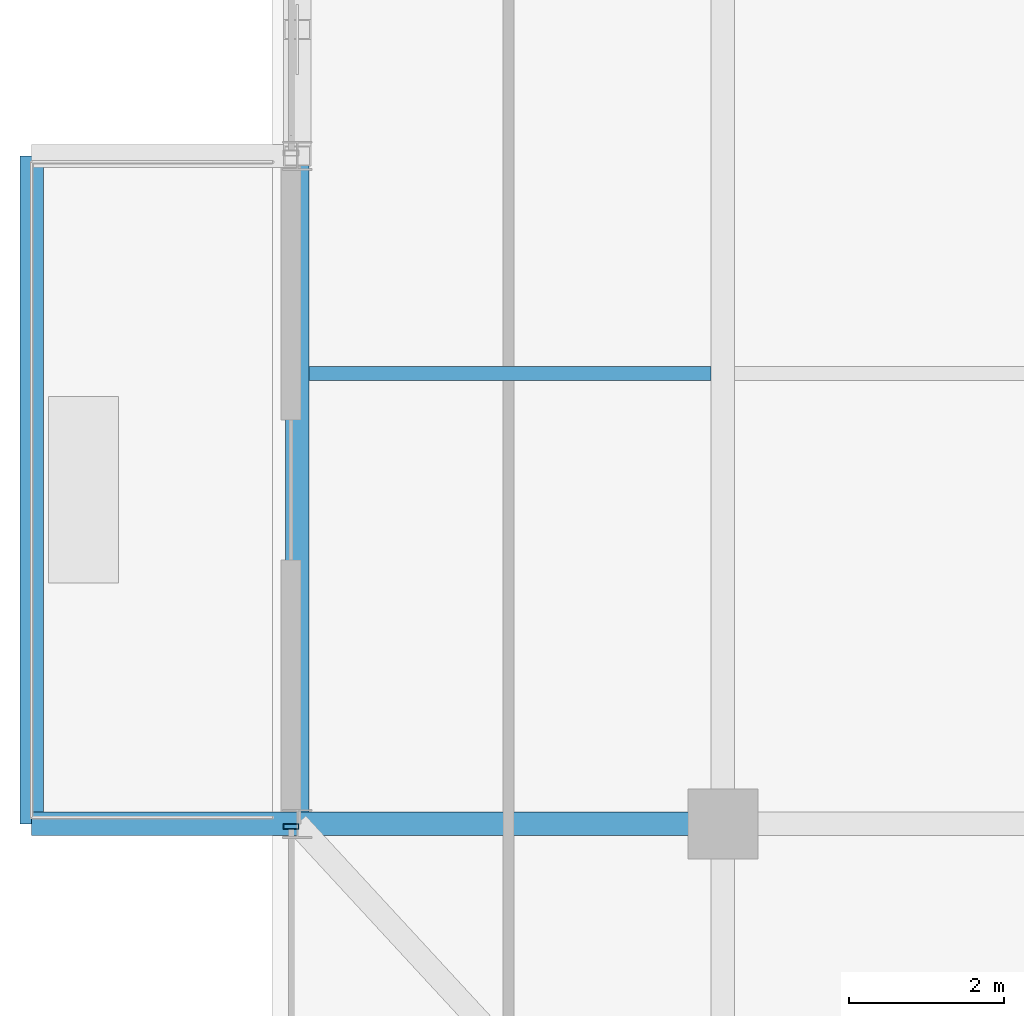
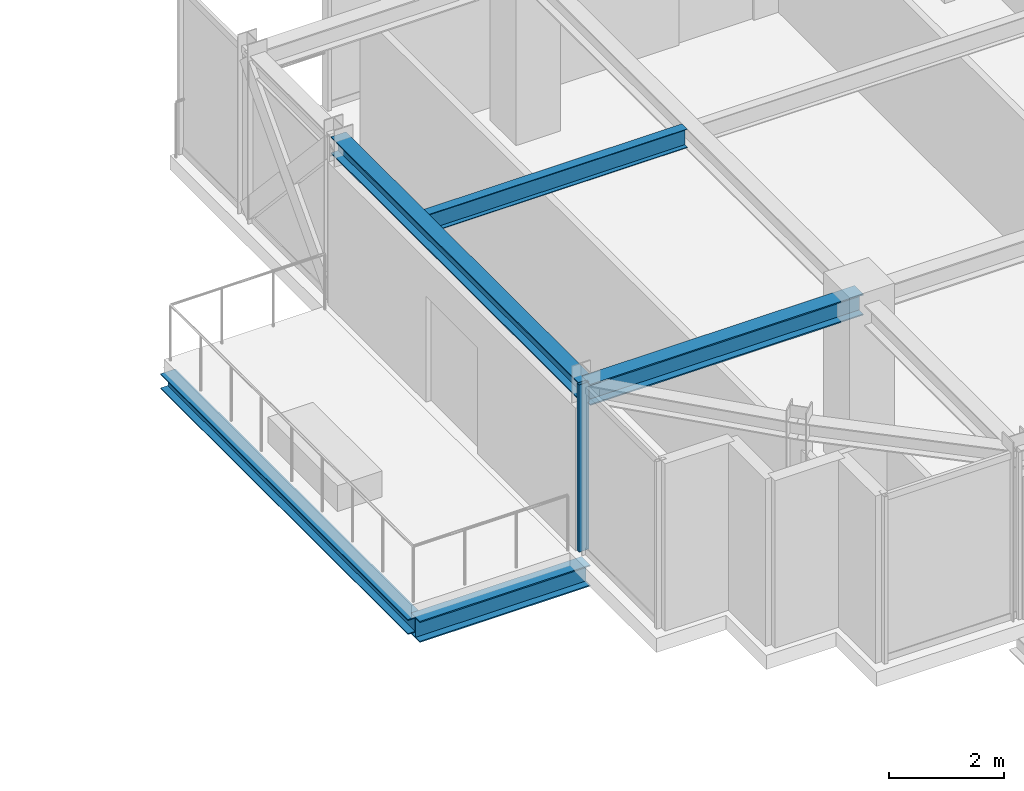
# One storey, part 5 of 37: 5 beams, 1 member, 1 element without a shape of its own.
"""IFC4 building model written with IfcOpenShell, lengths in metres."""

import ifcopenshell
import ifcopenshell.guid

model = None  # the IFC model being written
_history = None  # IfcOwnerHistory: only IFC2X3 demands one
_inside = {}  # id of a spatial element -> (the spatial element, [elements in it])
_under = {}  # id of a project, library or spatial element -> (it, [spatial elements below it])
_declared = {}  # id of a project -> (the project, [libraries it declares])
_typed = {}  # id of a type object -> (the type object, [elements of that type])
_made_of = {}  # id of a material, layer set ... -> (it, [elements and type objects made of it])


def new_model(schema):
    """Start an empty IFC model of exactly this schema.

    Asked for "IFC4X3", IfcOpenShell would pick the latest addendum, in which some entities
    have other attributes; the version numbers below select the first issue.
    IFC2X3 requires an IfcOwnerHistory on every rooted entity: one is made here for all.
    """
    global model, _history
    if schema == "IFC4X3":
        model = ifcopenshell.file(schema_version=(4, 3, 0, 0))
    else:
        model = ifcopenshell.file(schema=schema)
    _inside.clear()
    _under.clear()
    _declared.clear()
    _typed.clear()
    _made_of.clear()
    _history = None
    if model.schema == "IFC2X3":
        org = make("IfcOrganization", Name="unknown")
        user = make(
            "IfcPersonAndOrganization",
            ThePerson=make("IfcPerson", FamilyName="unknown"),
            TheOrganization=org,
        )
        app = make(
            "IfcApplication",
            ApplicationDeveloper=org,
            Version="unknown",
            ApplicationFullName="unknown",
            ApplicationIdentifier="unknown",
        )
        _history = make(
            "IfcOwnerHistory",
            OwningUser=user,
            OwningApplication=app,
            ChangeAction="ADDED",
            CreationDate=0,
        )
    return model


def make(cls, **values):
    """One entity of the class cls with the attributes given. An attribute that is None is left unset."""
    return model.create_entity(
        cls, **{name: value for name, value in values.items() if value is not None}
    )


def rooted(cls, **values):
    """An entity with a GlobalId (a new one), such as an element, a storey or a relation."""
    return make(cls, GlobalId=ifcopenshell.guid.new(), OwnerHistory=_history, **values)


def si_unit(unit_type, name, prefix=None):
    """IfcSIUnit, for example si_unit("LENGTHUNIT", "METRE", prefix="MILLI")."""
    return make("IfcSIUnit", UnitType=unit_type, Prefix=prefix, Name=name)


def assignment(units):
    """IfcUnitAssignment: the units of a project."""
    return None if units is None else make("IfcUnitAssignment", Units=units)


def point(xyz):
    """IfcCartesianPoint."""
    return None if xyz is None else make("IfcCartesianPoint", Coordinates=xyz)


def direction(xyz):
    """IfcDirection."""
    return None if xyz is None else make("IfcDirection", DirectionRatios=xyz)


def frame(location, z_axis=None, x_axis=None):
    """IfcAxis2Placement3D, a coordinate frame: its origin and axes. An axis left out is left unset."""
    return make(
        "IfcAxis2Placement3D",
        Location=point(location),
        Axis=direction(z_axis),
        RefDirection=direction(x_axis),
    )


def frame_2d(location, x_axis=None):
    """IfcAxis2Placement2D, a coordinate frame in the plane: its origin and x axis."""
    return make(
        "IfcAxis2Placement2D", Location=point(location), RefDirection=direction(x_axis)
    )


def origin():
    """The frame at (0, 0, 0) with its axes left unset."""
    return frame((0.0, 0.0, 0.0))


def origin_2d():
    """The frame at (0, 0) in the plane with its x axis left unset."""
    return frame_2d((0.0, 0.0))


def place(relative_to, where):
    """IfcLocalPlacement: puts the frame where relative to a parent placement (None: the world)."""
    return make(
        "IfcLocalPlacement", PlacementRelTo=relative_to, RelativePlacement=where
    )


def context(
    kind, dimensions, precision=None, world=None, true_north=None, identifier=None
):
    """IfcGeometricRepresentationContext, for example the 3D "Model" context."""
    return make(
        "IfcGeometricRepresentationContext",
        ContextIdentifier=identifier,
        ContextType=kind,
        CoordinateSpaceDimension=dimensions,
        Precision=precision,
        WorldCoordinateSystem=world,
        TrueNorth=true_north,
    )


def subcontext(parent, identifier, kind, view, scale=None):
    """IfcGeometricRepresentationSubContext, for example "Body" below "Model"."""
    return make(
        "IfcGeometricRepresentationSubContext",
        ContextIdentifier=identifier,
        ContextType=kind,
        ParentContext=parent,
        TargetScale=scale,
        TargetView=view,
    )


def project(units=None, contexts=None):
    """IfcProject with its units and contexts."""
    return rooted(
        "IfcProject",
        Name="project",
        RepresentationContexts=contexts,
        UnitsInContext=assignment(units),
    )


def spatial(cls, under=None, at=None, **own):
    """A site, building, storey or space (cls), placed at a placement, below another one or the project."""
    s = rooted(cls, ObjectPlacement=at, **own)
    if under is not None:
        _under.setdefault(under.id(), (under, []))[1].append(s)
    return s


def profile(cls, at=None, kind="AREA", **sizes):
    """A parametric profile (cls). Its sizes go by their IFC names, for example OverallWidth=200.0."""
    return make(cls, ProfileType=kind, Position=at, **sizes)


def hollow_rectangle(**sizes):
    """IfcRectangleHollowProfileDef."""
    return profile("IfcRectangleHollowProfileDef", **sizes)


def i_section(**sizes):
    """IfcIShapeProfileDef."""
    return profile("IfcIShapeProfileDef", **sizes)


def extrude(swept, where, along, depth):
    """IfcExtrudedAreaSolid: the profile swept, set in the frame where, extruded along a direction by depth."""
    return make(
        "IfcExtrudedAreaSolid",
        SweptArea=swept,
        Position=where,
        ExtrudedDirection=direction(along),
        Depth=depth,
    )


def shape(context_of_items, identifier, shape_type, items):
    """IfcShapeRepresentation: the items that make up one representation, for example the "Body"."""
    return make(
        "IfcShapeRepresentation",
        ContextOfItems=context_of_items,
        RepresentationIdentifier=identifier,
        RepresentationType=shape_type,
        Items=items,
    )


def source(mapping_origin, context_of_items, identifier, shape_type, items):
    """IfcRepresentationMap: a shape defined once, which mapped items show again and again."""
    return make(
        "IfcRepresentationMap",
        MappingOrigin=mapping_origin,
        MappedRepresentation=shape(context_of_items, identifier, shape_type, items),
    )


def transform(
    local_origin,
    x_axis=None,
    y_axis=None,
    z_axis=None,
    scale=None,
    scale2=None,
    scale3=None,
    uniform=True,
):
    """IfcCartesianTransformationOperator3D, or its non-uniform kind. x_axis, y_axis, z_axis: its Axis1, 2, 3."""
    if uniform:
        return make(
            "IfcCartesianTransformationOperator3D",
            Axis1=direction(x_axis),
            Axis2=direction(y_axis),
            LocalOrigin=point(local_origin),
            Scale=scale,
            Axis3=direction(z_axis),
        )
    return make(
        "IfcCartesianTransformationOperator3DnonUniform",
        Axis1=direction(x_axis),
        Axis2=direction(y_axis),
        LocalOrigin=point(local_origin),
        Scale=scale,
        Axis3=direction(z_axis),
        Scale2=scale2,
        Scale3=scale3,
    )


def mapped(mapping_source, mapping_target):
    """IfcMappedItem: shows the shape of a source again, moved by a transform."""
    return make(
        "IfcMappedItem", MappingSource=mapping_source, MappingTarget=mapping_target
    )


def material(Name=None, Category=None):
    """IfcMaterial."""
    return make("IfcMaterial", Name=Name, Category=Category)


def material_profile(
    of_material, cross_section, Name=None, Category=None, Priority=None
):
    """IfcMaterialProfile: a cross section and its material."""
    return make(
        "IfcMaterialProfile",
        Name=Name,
        Material=of_material,
        Profile=cross_section,
        Priority=Priority,
        Category=Category,
    )


def profile_set(profiles, Name=None, composite=None):
    """IfcMaterialProfileSet."""
    return make(
        "IfcMaterialProfileSet",
        Name=Name,
        MaterialProfiles=profiles,
        CompositeProfile=composite,
    )


def made_of(thing, what):
    """Note that an element or type object is made of a material, layer set ...; save() writes the relation."""
    if what is not None:
        _made_of.setdefault(what.id(), (what, []))[1].append(thing)
    return thing


def type_object(cls, material=None, **own):
    """A type object (cls), such as IfcWallType, which elements share."""
    return made_of(rooted(cls, **own), material)


def element(
    cls,
    number,
    at=None,
    inside=None,
    cuts=None,
    type_object=None,
    material=None,
    context=None,
    identifier="Body",
    shape_type=None,
    held_by="IfcProductDefinitionShape",
    body=None,
    shapes=None,
    **own,
):
    """One element of the class cls, such as IfcWall. Its Tag is "e" and its number.

    at: its placement. inside: the storey or other place that contains it. cuts: it is an
    opening in that element (IfcRelVoidsElement). A single representation is given by context,
    identifier, shape_type and body (its items); several are given by shapes. held_by: the class
    of the entity that holds the representations. save() writes the other relations.
    """
    e = rooted(cls, Tag="e%d" % number, ObjectPlacement=at, **own)
    if body is not None:
        shapes = [shape(context, identifier, shape_type, body)]
    if shapes is not None:
        e.Representation = make(held_by, Representations=shapes)
    if inside is not None:
        _inside.setdefault(inside.id(), (inside, []))[1].append(e)
    if cuts is not None:
        rooted(
            "IfcRelVoidsElement", RelatingBuildingElement=cuts, RelatedOpeningElement=e
        )
    if type_object is not None:
        _typed.setdefault(type_object.id(), (type_object, []))[1].append(e)
    return made_of(e, material)


def aggregate(whole, parts):
    """IfcRelAggregates: a whole, such as a stair, and the parts it consists of."""
    return rooted("IfcRelAggregates", RelatingObject=whole, RelatedObjects=parts)


def save(model, path):
    """Write the relations noted so far, then the file.

    IfcRelAggregates (storeys below a building ...), IfcRelContainedInSpatialStructure (elements
    in a storey), IfcRelDefinesByType, IfcRelAssociatesMaterial and IfcRelDeclares: one each for
    every whole, place, type object, material and project.
    """
    for whole, parts in _under.values():
        aggregate(whole, parts)
    for where, things in _inside.values():
        rooted(
            "IfcRelContainedInSpatialStructure",
            RelatedElements=things,
            RelatingStructure=where,
        )
    for kind, things in _typed.values():
        rooted("IfcRelDefinesByType", RelatedObjects=things, RelatingType=kind)
    for what, things in _made_of.values():
        rooted("IfcRelAssociatesMaterial", RelatedObjects=things, RelatingMaterial=what)
    for by, libraries in _declared.values():
        rooted("IfcRelDeclares", RelatingContext=by, RelatedDefinitions=libraries)
    model.write(path)


model = new_model("IFC4")

# Units and contexts
model_context = context("Model", 3, precision=1e-05, world=origin(), true_north=direction((0.0, 1.0)))
body_context = subcontext(model_context, "Body", "Model", "MODEL_VIEW")
ifc_project = project(units=[si_unit("LENGTHUNIT", "METRE"), si_unit("AREAUNIT", "SQUARE_METRE"), si_unit("VOLUMEUNIT", "CUBIC_METRE"), si_unit("PLANEANGLEUNIT", "RADIAN"), si_unit("MASSUNIT", "GRAM", prefix="KILO")], contexts=[model_context])

# Site, building, storey
site_placement = place(None, origin())
site = spatial("IfcSite", under=ifc_project, at=site_placement, CompositionType="ELEMENT")
building_placement = place(site_placement, origin())
building = spatial("IfcBuilding", under=site, at=building_placement, Name="Nahalor Promenade Grand Hotel", CompositionType="ELEMENT")
storey_placement = place(building_placement, frame((0.0, 0.0, 292.64990234375)))
storey = spatial("IfcBuildingStorey", under=building, at=storey_placement, Name="L75", CompositionType="ELEMENT", Elevation=292.64990234375)

# Beams
ifc_material_1 = material(Name="Steel S355JR", Category="steel")
ifc_material_profile_1 = material_profile(ifc_material_1, i_section(OverallWidth=0.3, OverallDepth=0.32, WebThickness=0.0115, FlangeThickness=0.0205, at=origin_2d()), Name="HEB 320")
ifc_profile_set_1 = profile_set([ifc_material_profile_1], Name="Steel S355JR")
beam_type_1 = type_object("IfcBeamType", Name="Beam-BalcEdge-HEB320", PredefinedType="SPANDREL", material=ifc_profile_set_1)
shared_shape_1 = source(origin(), body_context, "Body", "SweptSolid", [
    extrude(i_section(OverallWidth=0.3, OverallDepth=0.32, WebThickness=0.0115, FlangeThickness=0.0205, at=origin_2d()), origin(), (0.0, 0.0, 1.0), 8.60009765625),
])
beam_1_placement = place(storey_placement, frame((-25.89990234375, -17.0, -0.43994140625), z_axis=(0.0, 1.0, 0.0), x_axis=(-1.0, 0.0, 0.0)))
element("IfcBeam", 1, at=beam_1_placement, inside=storey, type_object=beam_type_1, Name="BM-L75-BC-02-F", PredefinedType="SPANDREL", context=body_context, shape_type="MappedRepresentation", body=[
    mapped(shared_shape_1, transform((0.0, 0.0, 0.0), scale=1.0)),
])
ifc_material_profile_2 = material_profile(ifc_material_1, i_section(OverallWidth=0.3, OverallDepth=0.45, WebThickness=0.014, FlangeThickness=0.026, at=origin_2d()), Name="HEB 450")
ifc_profile_set_2 = profile_set([ifc_material_profile_2], Name="Steel S355JR")
beam_type_2 = type_object("IfcBeamType", Name="Beam-Outrigger-HEB450", PredefinedType="BEAM", material=ifc_profile_set_2)
shared_shape_2 = source(origin(), body_context, "Body", "SweptSolid", [
    extrude(i_section(OverallWidth=0.3, OverallDepth=0.45, WebThickness=0.014, FlangeThickness=0.026, at=origin_2d()), origin(), (0.0, 0.0, 1.0), 3.419921875),
])
beam_2_placement = place(storey_placement, frame((-25.89990234375, -17.0, -0.5048828125), z_axis=(1.0, 0.0, 0.0), x_axis=(0.0, 1.0, 0.0)))
element("IfcBeam", 2, at=beam_2_placement, inside=storey, type_object=beam_type_2, Name="BM-L75-BC-02-1", PredefinedType="BEAM", context=body_context, shape_type="MappedRepresentation", body=[
    mapped(shared_shape_2, transform((0.0, 0.0, 0.0), scale=1.0)),
])
ifc_material_profile_3 = material_profile(ifc_material_1, i_section(OverallWidth=0.3, OverallDepth=0.45, WebThickness=0.014, FlangeThickness=0.026, at=origin_2d()), Name="HEB 450")
ifc_profile_set_3 = profile_set([ifc_material_profile_3], Name="Steel S355JR")
beam_type_3 = type_object("IfcBeamType", Name="Beam-Girder-HEB450", PredefinedType="BEAM", material=ifc_profile_set_3)
shared_shape_3 = source(origin(), body_context, "Body", "SweptSolid", [
    extrude(i_section(OverallWidth=0.3, OverallDepth=0.45, WebThickness=0.014, FlangeThickness=0.026, at=origin_2d()), origin(), (0.0, 0.0, 1.0), 5.47998046875),
])
beam_3_placement = place(storey_placement, frame((-22.47998046875, -17.0, 3.3251953125), z_axis=(1.0, 0.0, 0.0), x_axis=(0.0, 1.0, 0.0)))
element("IfcBeam", 3, at=beam_3_placement, inside=storey, type_object=beam_type_3, Name="BM-L75-GX-0-0", PredefinedType="BEAM", context=body_context, shape_type="MappedRepresentation", body=[
    mapped(shared_shape_3, transform((0.0, 0.0, 0.0), scale=1.0)),
])
ifc_material_profile_4 = material_profile(ifc_material_1, i_section(OverallWidth=0.18, OverallDepth=0.4, WebThickness=0.0086, FlangeThickness=0.0135, at=origin_2d()), Name="IPE 400")
ifc_profile_set_4 = profile_set([ifc_material_profile_4], Name="Steel S355JR")
beam_type_4 = type_object("IfcBeamType", Name="Beam-Joist-IPE400", PredefinedType="JOIST", material=ifc_profile_set_4)
shared_shape_4 = source(origin(), body_context, "Body", "SweptSolid", [
    extrude(i_section(OverallWidth=0.18, OverallDepth=0.4, WebThickness=0.0086, FlangeThickness=0.0135, at=origin_2d()), origin(), (0.0, 0.0, 1.0), 5.18017578125),
])
beam_4_placement = place(storey_placement, frame((-22.330078125, -11.199951171875, 3.35009765625), z_axis=(1.0, 0.0, 0.0), x_axis=(0.0, 1.0, 0.0)))
element("IfcBeam", 4, at=beam_4_placement, inside=storey, type_object=beam_type_4, Name="BM-L75-JSW-0-0", PredefinedType="JOIST", context=body_context, shape_type="MappedRepresentation", body=[
    mapped(shared_shape_4, transform((0.0, 0.0, 0.0), scale=1.0)),
])
ifc_material_profile_5 = material_profile(ifc_material_1, i_section(OverallWidth=0.3, OverallDepth=0.36, WebThickness=0.0125, FlangeThickness=0.0225, at=origin_2d()), Name="HEB 360")
ifc_profile_set_5 = profile_set([ifc_material_profile_5], Name="Steel S355JR")
beam_type_5 = type_object("IfcBeamType", Name="Beam-Spandrel-HEB360", PredefinedType="SPANDREL", material=ifc_profile_set_5)
shared_shape_5 = source(origin(), body_context, "Body", "SweptSolid", [
    extrude(i_section(OverallWidth=0.3, OverallDepth=0.36, WebThickness=0.0125, FlangeThickness=0.0225, at=origin_2d()), origin(), (0.0, 0.0, 1.0), 8.60009765625),
])
beam_5_placement = place(storey_placement, frame((-22.47998046875, -17.0, 3.3701171875), z_axis=(0.0, 1.0, 0.0), x_axis=(-1.0, 0.0, 0.0)))
element("IfcBeam", 5, at=beam_5_placement, inside=storey, type_object=beam_type_5, Name="BM-L75-SP-W-0", PredefinedType="SPANDREL", context=body_context, shape_type="MappedRepresentation", body=[
    mapped(shared_shape_5, transform((0.0, 0.0, 0.0), scale=1.0)),
])

# Curtain wall, member
ifc_material_2 = material(Name="Anodised Bronze Aluminium EN AW-6063 T6", Category="aluminium")
curtain_wall_type = type_object("IfcCurtainWallType", Name="CW3 Elliptical-Void Collar Unitised Curtain Wall", PredefinedType="USERDEFINED", material=ifc_material_2)
curtain_wall_placement = place(storey_placement, origin())
curtain_wall = element("IfcCurtainWall", 6, at=curtain_wall_placement, inside=storey, type_object=curtain_wall_type, Name="L75 Curtain Wall CW-L75-W-1", ObjectType="UNITISED_CURTAIN_WALL", PredefinedType="USERDEFINED")
ifc_material_profile_6 = material_profile(ifc_material_2, hollow_rectangle(XDim=0.07, YDim=0.2, WallThickness=0.005, at=origin_2d()), Name="CWM 70x200x5")
ifc_profile_set_6 = profile_set([ifc_material_profile_6], Name="Anodised Bronze Aluminium EN AW-6063 T6")
member_type = type_object("IfcMemberType", Name="CWM3 Void Collar Mullion 70x200", PredefinedType="MULLION", material=ifc_profile_set_6)
shared_shape_6 = source(origin(), body_context, "Body", "SweptSolid", [
    extrude(hollow_rectangle(XDim=0.07, YDim=0.2, WallThickness=0.005, at=origin_2d()), origin(), (0.0, 0.0, 1.0), 3.550048828125),
])
member_placement = place(storey_placement, frame((-22.56005859375, -17.034912109375, 0.0), z_axis=(0.0, 0.0, 1.0), x_axis=(0.0, 1.0, 0.0)))
member = element("IfcMember", 7, at=member_placement, type_object=member_type, Name="CW-L75-W-1 Mullion 1", PredefinedType="MULLION", context=body_context, shape_type="MappedRepresentation", body=[
    mapped(shared_shape_6, transform((0.0, 0.0, 0.0), scale=1.0)),
])
aggregate(curtain_wall, [member])

save(model, "model.ifc")
